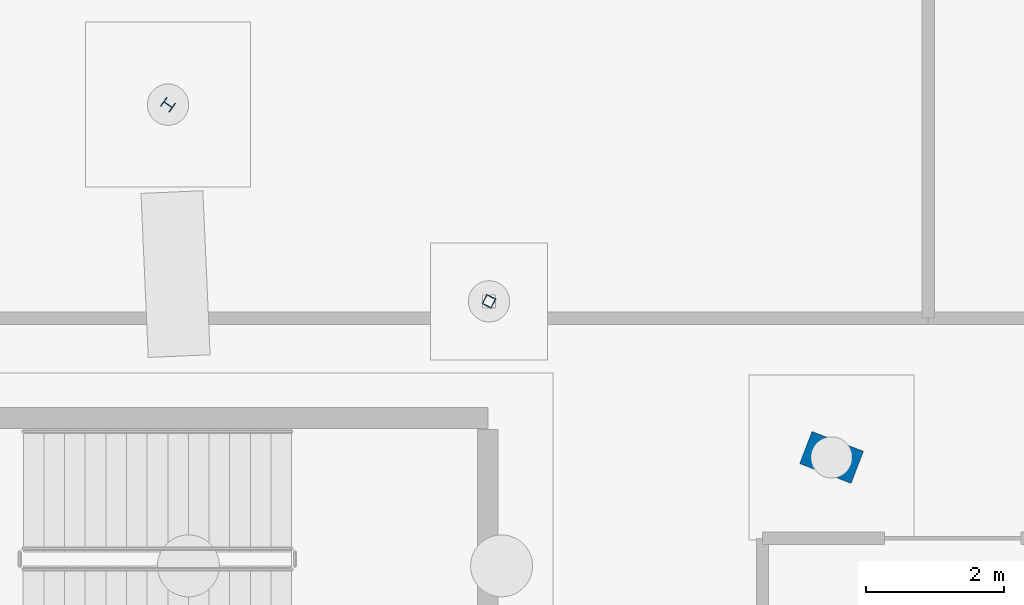
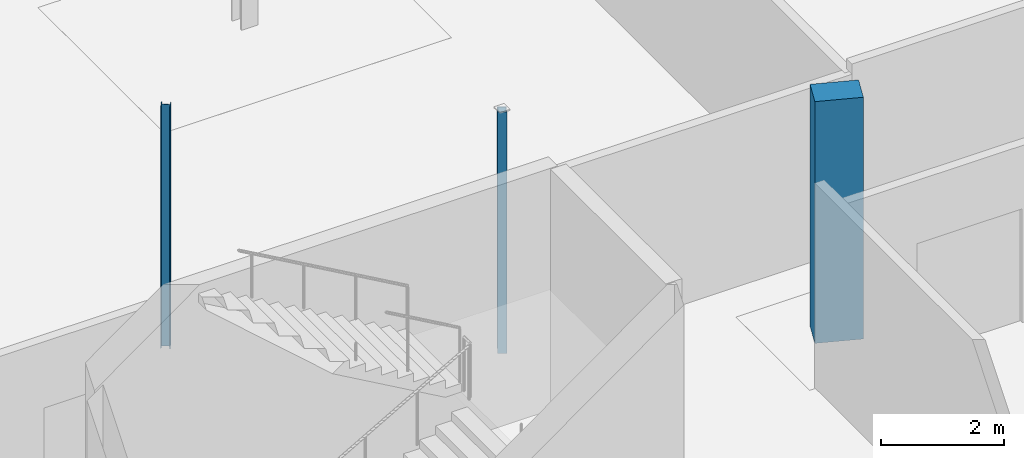
# One storey, part 20 of 136: 3 columns.
"""IFC4 building model written with IfcOpenShell, lengths in metres."""

from ifc_helpers import new_model, si_unit, direction, frame, origin, origin_2d, place, context, subcontext, project, spatial, rectangle, hollow_rectangle, i_section, extrude, material, material_profile, profile_set, type_object, element, save


model = new_model("IFC4")

# Units and contexts
model_context = context("Model", 3, precision=1e-05, world=origin(), true_north=direction((0.0, 1.0)))
body_context = subcontext(model_context, "Body", "Model", "MODEL_VIEW")
ifc_project = project(units=[si_unit("LENGTHUNIT", "METRE"), si_unit("AREAUNIT", "SQUARE_METRE"), si_unit("VOLUMEUNIT", "CUBIC_METRE"), si_unit("PLANEANGLEUNIT", "RADIAN"), si_unit("MASSUNIT", "GRAM", prefix="KILO")], contexts=[model_context])

# Site, building, storey
site_placement = place(None, origin())
site = spatial("IfcSite", under=ifc_project, at=site_placement, CompositionType="ELEMENT")
building_placement = place(site_placement, origin())
building = spatial("IfcBuilding", under=site, at=building_placement, Name="Tarnwether General Hospital", CompositionType="ELEMENT")
storey_placement = place(building_placement, frame((0.0, 0.0, -4.800048828125)))
storey = spatial("IfcBuildingStorey", under=building, at=storey_placement, Name="LG", CompositionType="ELEMENT", Elevation=-4.800048828125)

# Columns
ifc_material_1 = material(Name="Concrete 50 MPa", Category="concrete")
ifc_material_profile_1 = material_profile(ifc_material_1, rectangle(XDim=0.5, YDim=0.800048828125, at=origin_2d()), Name="RC-PIL-500x800")
ifc_profile_set_1 = profile_set([ifc_material_profile_1], Name="Concrete 50 MPa")
column_type_1 = type_object("IfcColumnType", Name="COL-23", PredefinedType="PILASTER", material=ifc_profile_set_1)
column_1_placement = place(storey_placement, frame((75.945068359375, 21.176025390625, 0.0), z_axis=(0.0, 0.0, 1.0), x_axis=(0.358367949545, 0.933580426497, 0.0)))
element("IfcColumn", 1, at=column_1_placement, inside=storey, type_object=column_type_1, Name="Column COLG-LG-7594_2118", PredefinedType="PILASTER", context=body_context, shape_type="SweptSolid", body=[
    extrude(rectangle(XDim=0.5, YDim=0.800048828125, at=origin_2d()), origin(), (0.0, 0.0, 1.0), 4.800048828125),
])
ifc_material_2 = material(Name="Steel Grade 350 (350 MPa)", Category="steel")
ifc_material_profile_2 = material_profile(ifc_material_2, i_section(OverallWidth=0.153076171875, OverallDepth=0.157958984375, WebThickness=0.006591796875, FlangeThickness=0.009521484375, at=origin_2d()), Name="150UC30.0")
ifc_profile_set_2 = profile_set([ifc_material_profile_2], Name="Steel Grade 350 (350 MPa)")
column_type_2 = type_object("IfcColumnType", Name="COL-31", PredefinedType="COLUMN", material=ifc_profile_set_2)
column_2_placement = place(storey_placement, frame((66.303955078125, 26.302001953125, 0.0), z_axis=(0.0, 0.0, 1.0), x_axis=(0.573576436351, 0.819152044289, 0.0)))
element("IfcColumn", 2, at=column_2_placement, inside=storey, type_object=column_type_2, Name="Column COLG-LG-6630_2630", PredefinedType="COLUMN", context=body_context, shape_type="SweptSolid", body=[
    extrude(i_section(OverallWidth=0.153076171875, OverallDepth=0.157958984375, WebThickness=0.006591796875, FlangeThickness=0.009521484375, at=origin_2d()), origin(), (0.0, 0.0, 1.0), 4.800048828125),
])
ifc_material_3 = material(Name="Steel Grade C350L0 (350 MPa)", Category="steel")
ifc_material_profile_3 = material_profile(ifc_material_3, hollow_rectangle(XDim=0.14990234375, YDim=0.14990234375, WallThickness=0.008056640625, at=origin_2d()), Name="SHS150x150x8")
ifc_profile_set_3 = profile_set([ifc_material_profile_3], Name="Steel Grade C350L0 (350 MPa)")
column_type_3 = type_object("IfcColumnType", Name="COL-33", PredefinedType="COLUMN", material=ifc_profile_set_3)
column_3_placement = place(storey_placement, frame((70.968017578125, 23.444091796875, 0.0), z_axis=(0.0, 0.0, 1.0), x_axis=(0.469471562786, 0.882947592859, 0.0)))
element("IfcColumn", 3, at=column_3_placement, inside=storey, type_object=column_type_3, Name="Column COLG-LG-7097_2344", PredefinedType="COLUMN", context=body_context, shape_type="SweptSolid", body=[
    extrude(hollow_rectangle(XDim=0.14990234375, YDim=0.14990234375, WallThickness=0.008056640625, at=origin_2d()), origin(), (0.0, 0.0, 1.0), 4.800048828125),
])

save(model, "model.ifc")
